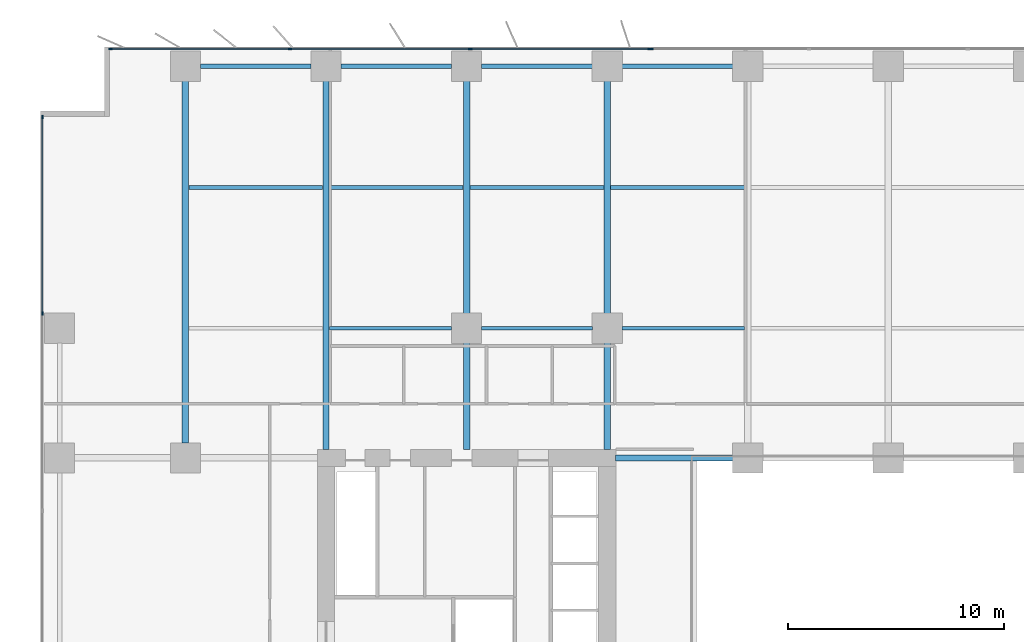
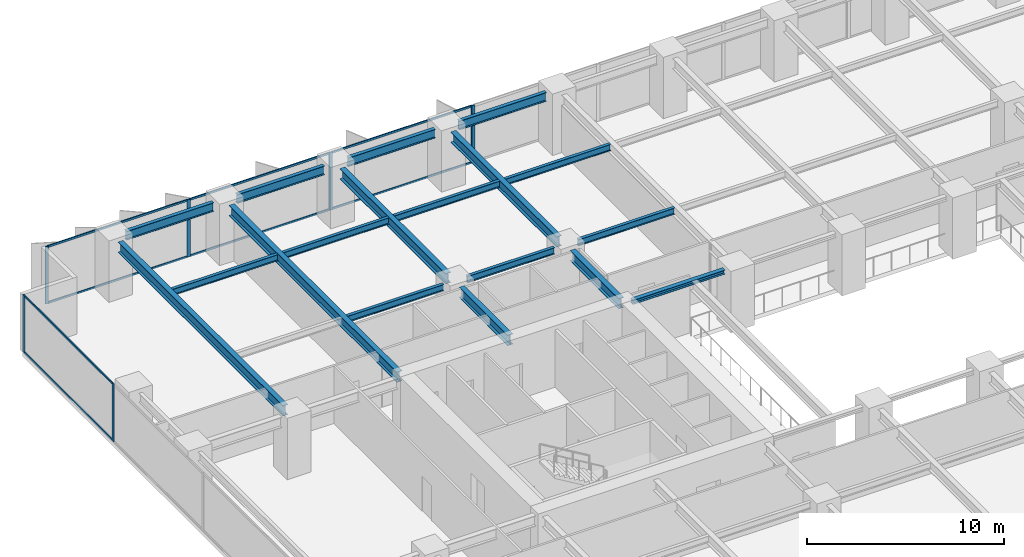
# One storey, part 7 of 20: 18 beams, 15 members, 3 elements without a shape of their own.
"""IFC4 building model written with IfcOpenShell, lengths in metres."""

import ifcopenshell
import ifcopenshell.guid

model = None  # the IFC model being written
_history = None  # IfcOwnerHistory: only IFC2X3 demands one
_inside = {}  # id of a spatial element -> (the spatial element, [elements in it])
_under = {}  # id of a project, library or spatial element -> (it, [spatial elements below it])
_declared = {}  # id of a project -> (the project, [libraries it declares])
_typed = {}  # id of a type object -> (the type object, [elements of that type])
_made_of = {}  # id of a material, layer set ... -> (it, [elements and type objects made of it])


def new_model(schema):
    """Start an empty IFC model of exactly this schema.

    Asked for "IFC4X3", IfcOpenShell would pick the latest addendum, in which some entities
    have other attributes; the version numbers below select the first issue.
    IFC2X3 requires an IfcOwnerHistory on every rooted entity: one is made here for all.
    """
    global model, _history
    if schema == "IFC4X3":
        model = ifcopenshell.file(schema_version=(4, 3, 0, 0))
    else:
        model = ifcopenshell.file(schema=schema)
    _inside.clear()
    _under.clear()
    _declared.clear()
    _typed.clear()
    _made_of.clear()
    _history = None
    if model.schema == "IFC2X3":
        org = make("IfcOrganization", Name="unknown")
        user = make(
            "IfcPersonAndOrganization",
            ThePerson=make("IfcPerson", FamilyName="unknown"),
            TheOrganization=org,
        )
        app = make(
            "IfcApplication",
            ApplicationDeveloper=org,
            Version="unknown",
            ApplicationFullName="unknown",
            ApplicationIdentifier="unknown",
        )
        _history = make(
            "IfcOwnerHistory",
            OwningUser=user,
            OwningApplication=app,
            ChangeAction="ADDED",
            CreationDate=0,
        )
    return model


def make(cls, **values):
    """One entity of the class cls with the attributes given. An attribute that is None is left unset."""
    return model.create_entity(
        cls, **{name: value for name, value in values.items() if value is not None}
    )


def rooted(cls, **values):
    """An entity with a GlobalId (a new one), such as an element, a storey or a relation."""
    return make(cls, GlobalId=ifcopenshell.guid.new(), OwnerHistory=_history, **values)


def si_unit(unit_type, name, prefix=None):
    """IfcSIUnit, for example si_unit("LENGTHUNIT", "METRE", prefix="MILLI")."""
    return make("IfcSIUnit", UnitType=unit_type, Prefix=prefix, Name=name)


def assignment(units):
    """IfcUnitAssignment: the units of a project."""
    return None if units is None else make("IfcUnitAssignment", Units=units)


def point(xyz):
    """IfcCartesianPoint."""
    return None if xyz is None else make("IfcCartesianPoint", Coordinates=xyz)


def direction(xyz):
    """IfcDirection."""
    return None if xyz is None else make("IfcDirection", DirectionRatios=xyz)


def frame(location, z_axis=None, x_axis=None):
    """IfcAxis2Placement3D, a coordinate frame: its origin and axes. An axis left out is left unset."""
    return make(
        "IfcAxis2Placement3D",
        Location=point(location),
        Axis=direction(z_axis),
        RefDirection=direction(x_axis),
    )


def frame_2d(location, x_axis=None):
    """IfcAxis2Placement2D, a coordinate frame in the plane: its origin and x axis."""
    return make(
        "IfcAxis2Placement2D", Location=point(location), RefDirection=direction(x_axis)
    )


def origin():
    """The frame at (0, 0, 0) with its axes left unset."""
    return frame((0.0, 0.0, 0.0))


def origin_2d():
    """The frame at (0, 0) in the plane with its x axis left unset."""
    return frame_2d((0.0, 0.0))


def place(relative_to, where):
    """IfcLocalPlacement: puts the frame where relative to a parent placement (None: the world)."""
    return make(
        "IfcLocalPlacement", PlacementRelTo=relative_to, RelativePlacement=where
    )


def context(
    kind, dimensions, precision=None, world=None, true_north=None, identifier=None
):
    """IfcGeometricRepresentationContext, for example the 3D "Model" context."""
    return make(
        "IfcGeometricRepresentationContext",
        ContextIdentifier=identifier,
        ContextType=kind,
        CoordinateSpaceDimension=dimensions,
        Precision=precision,
        WorldCoordinateSystem=world,
        TrueNorth=true_north,
    )


def subcontext(parent, identifier, kind, view, scale=None):
    """IfcGeometricRepresentationSubContext, for example "Body" below "Model"."""
    return make(
        "IfcGeometricRepresentationSubContext",
        ContextIdentifier=identifier,
        ContextType=kind,
        ParentContext=parent,
        TargetScale=scale,
        TargetView=view,
    )


def project(units=None, contexts=None):
    """IfcProject with its units and contexts."""
    return rooted(
        "IfcProject",
        Name="project",
        RepresentationContexts=contexts,
        UnitsInContext=assignment(units),
    )


def spatial(cls, under=None, at=None, **own):
    """A site, building, storey or space (cls), placed at a placement, below another one or the project."""
    s = rooted(cls, ObjectPlacement=at, **own)
    if under is not None:
        _under.setdefault(under.id(), (under, []))[1].append(s)
    return s


def profile(cls, at=None, kind="AREA", **sizes):
    """A parametric profile (cls). Its sizes go by their IFC names, for example OverallWidth=200.0."""
    return make(cls, ProfileType=kind, Position=at, **sizes)


def rectangle(**sizes):
    """IfcRectangleProfileDef."""
    return profile("IfcRectangleProfileDef", **sizes)


def i_section(**sizes):
    """IfcIShapeProfileDef."""
    return profile("IfcIShapeProfileDef", **sizes)


def extrude(swept, where, along, depth):
    """IfcExtrudedAreaSolid: the profile swept, set in the frame where, extruded along a direction by depth."""
    return make(
        "IfcExtrudedAreaSolid",
        SweptArea=swept,
        Position=where,
        ExtrudedDirection=direction(along),
        Depth=depth,
    )


def shape(context_of_items, identifier, shape_type, items):
    """IfcShapeRepresentation: the items that make up one representation, for example the "Body"."""
    return make(
        "IfcShapeRepresentation",
        ContextOfItems=context_of_items,
        RepresentationIdentifier=identifier,
        RepresentationType=shape_type,
        Items=items,
    )


def material(Name=None, Category=None):
    """IfcMaterial."""
    return make("IfcMaterial", Name=Name, Category=Category)


def layer(
    of_material, thickness, ventilated=None, Name=None, Category=None, Priority=None
):
    """IfcMaterialLayer: one layer of a wall or slab, of a material (None: an air gap)."""
    return make(
        "IfcMaterialLayer",
        Material=of_material,
        LayerThickness=thickness,
        IsVentilated=ventilated,
        Name=Name,
        Category=Category,
        Priority=Priority,
    )


def layer_set(layers, Name=None):
    """IfcMaterialLayerSet."""
    return make("IfcMaterialLayerSet", MaterialLayers=layers, LayerSetName=Name)


def material_profile(
    of_material, cross_section, Name=None, Category=None, Priority=None
):
    """IfcMaterialProfile: a cross section and its material."""
    return make(
        "IfcMaterialProfile",
        Name=Name,
        Material=of_material,
        Profile=cross_section,
        Priority=Priority,
        Category=Category,
    )


def profile_set(profiles, Name=None, composite=None):
    """IfcMaterialProfileSet."""
    return make(
        "IfcMaterialProfileSet",
        Name=Name,
        MaterialProfiles=profiles,
        CompositeProfile=composite,
    )


def made_of(thing, what):
    """Note that an element or type object is made of a material, layer set ...; save() writes the relation."""
    if what is not None:
        _made_of.setdefault(what.id(), (what, []))[1].append(thing)
    return thing


def type_object(cls, material=None, **own):
    """A type object (cls), such as IfcWallType, which elements share."""
    return made_of(rooted(cls, **own), material)


def element(
    cls,
    number,
    at=None,
    inside=None,
    cuts=None,
    type_object=None,
    material=None,
    context=None,
    identifier="Body",
    shape_type=None,
    held_by="IfcProductDefinitionShape",
    body=None,
    shapes=None,
    **own,
):
    """One element of the class cls, such as IfcWall. Its Tag is "e" and its number.

    at: its placement. inside: the storey or other place that contains it. cuts: it is an
    opening in that element (IfcRelVoidsElement). A single representation is given by context,
    identifier, shape_type and body (its items); several are given by shapes. held_by: the class
    of the entity that holds the representations. save() writes the other relations.
    """
    e = rooted(cls, Tag="e%d" % number, ObjectPlacement=at, **own)
    if body is not None:
        shapes = [shape(context, identifier, shape_type, body)]
    if shapes is not None:
        e.Representation = make(held_by, Representations=shapes)
    if inside is not None:
        _inside.setdefault(inside.id(), (inside, []))[1].append(e)
    if cuts is not None:
        rooted(
            "IfcRelVoidsElement", RelatingBuildingElement=cuts, RelatedOpeningElement=e
        )
    if type_object is not None:
        _typed.setdefault(type_object.id(), (type_object, []))[1].append(e)
    return made_of(e, material)


def aggregate(whole, parts):
    """IfcRelAggregates: a whole, such as a stair, and the parts it consists of."""
    return rooted("IfcRelAggregates", RelatingObject=whole, RelatedObjects=parts)


def save(model, path):
    """Write the relations noted so far, then the file.

    IfcRelAggregates (storeys below a building ...), IfcRelContainedInSpatialStructure (elements
    in a storey), IfcRelDefinesByType, IfcRelAssociatesMaterial and IfcRelDeclares: one each for
    every whole, place, type object, material and project.
    """
    for whole, parts in _under.values():
        aggregate(whole, parts)
    for where, things in _inside.values():
        rooted(
            "IfcRelContainedInSpatialStructure",
            RelatedElements=things,
            RelatingStructure=where,
        )
    for kind, things in _typed.values():
        rooted("IfcRelDefinesByType", RelatedObjects=things, RelatingType=kind)
    for what, things in _made_of.values():
        rooted("IfcRelAssociatesMaterial", RelatedObjects=things, RelatingMaterial=what)
    for by, libraries in _declared.values():
        rooted("IfcRelDeclares", RelatingContext=by, RelatedDefinitions=libraries)
    model.write(path)


model = new_model("IFC4")

# Units and contexts
model_context = context("Model", 3, precision=1e-05, world=origin(), true_north=direction((0.0, 1.0)))
body_context = subcontext(model_context, "Body", "Model", "MODEL_VIEW")
ifc_project = project(units=[si_unit("LENGTHUNIT", "METRE"), si_unit("AREAUNIT", "SQUARE_METRE"), si_unit("VOLUMEUNIT", "CUBIC_METRE"), si_unit("PLANEANGLEUNIT", "RADIAN"), si_unit("MASSUNIT", "GRAM", prefix="KILO")], contexts=[model_context])

# Site, building, storey
site_placement = place(None, origin())
site = spatial("IfcSite", under=ifc_project, at=site_placement, CompositionType="ELEMENT")
building_placement = place(site_placement, origin())
building = spatial("IfcBuilding", under=site, at=building_placement, Name="Putna Gate Headquarters", CompositionType="ELEMENT")
storey_placement = place(building_placement, frame((0.0, 0.0, 31.60009765625)))
storey = spatial("IfcBuildingStorey", under=building, at=storey_placement, Name="L06", CompositionType="ELEMENT", Elevation=31.60009765625)

# Beams
ifc_material_1 = material(Name="Steel S355J2", Category="steel")
ifc_material_profile_1 = material_profile(ifc_material_1, i_section(OverallWidth=0.260009765625, OverallDepth=0.260009765625, WebThickness=0.010009765625, FlangeThickness=0.017578125, at=origin_2d()), Name="Steel S355J2")
ifc_profile_set_1 = profile_set([ifc_material_profile_1], Name="Steel S355J2")
beam_type_1 = type_object("IfcBeamType", Name="BM-ATRIUM-HEB260", PredefinedType="BEAM", material=ifc_profile_set_1)
beam_1_placement = place(storey_placement, frame((26.385009765625, 33.0, 3.419921875), z_axis=(1.0, 0.0, 0.0), x_axis=(0.0, 1.0, 0.0)))
element("IfcBeam", 1, at=beam_1_placement, inside=storey, type_object=beam_type_1, Name="L06 Atrium Edge Beam AN1", PredefinedType="BEAM", context=body_context, shape_type="SweptSolid", body=[
    extrude(i_section(OverallWidth=0.260009765625, OverallDepth=0.260009765625, WebThickness=0.010009765625, FlangeThickness=0.017578125, at=origin_2d()), origin(), (0.0, 0.0, 1.0), 5.427001953125),
])
ifc_material_profile_2 = material_profile(ifc_material_1, i_section(OverallWidth=0.300048828125, OverallDepth=0.64990234375, WebThickness=0.01611328125, FlangeThickness=0.031005859375, at=origin_2d()), Name="Steel S355J2")
ifc_profile_set_2 = profile_set([ifc_material_profile_2], Name="Steel S355J2")
beam_type_2 = type_object("IfcBeamType", Name="BM-GIRD-Z1-HEB650", PredefinedType="USERDEFINED", material=ifc_profile_set_2)
beam_2_placement = place(storey_placement, frame((6.5, 33.68798828125, 3.224853515625), z_axis=(0.0, 1.0, 0.0), x_axis=(-1.0, 0.0, 0.0)))
element("IfcBeam", 2, at=beam_2_placement, inside=storey, type_object=beam_type_2, Name="L06 North Primary Girder X6", ObjectType="GIRDER", PredefinedType="USERDEFINED", context=body_context, shape_type="SweptSolid", body=[
    extrude(i_section(OverallWidth=0.300048828125, OverallDepth=0.64990234375, WebThickness=0.01611328125, FlangeThickness=0.031005859375, at=origin_2d()), origin(), (0.0, 0.0, 1.0), 16.743896484375),
])
beam_3_placement = place(storey_placement, frame((13.0, 33.385009765625, 3.224853515625), z_axis=(0.0, 1.0, 0.0), x_axis=(-1.0, 0.0, 0.0)))
element("IfcBeam", 3, at=beam_3_placement, inside=storey, type_object=beam_type_2, Name="L06 North Primary Girder X13", ObjectType="GIRDER", PredefinedType="USERDEFINED", context=body_context, shape_type="SweptSolid", body=[
    extrude(i_section(OverallWidth=0.300048828125, OverallDepth=0.64990234375, WebThickness=0.01611328125, FlangeThickness=0.031005859375, at=origin_2d()), origin(), (0.0, 0.0, 1.0), 17.046875),
])
beam_4_placement = place(storey_placement, frame((19.5, 33.385009765625, 3.224853515625), z_axis=(0.0, 1.0, 0.0), x_axis=(-1.0, 0.0, 0.0)))
element("IfcBeam", 4, at=beam_4_placement, inside=storey, type_object=beam_type_2, Name="L06 North Primary Girder X19-1", ObjectType="GIRDER", PredefinedType="USERDEFINED", context=body_context, shape_type="SweptSolid", body=[
    extrude(i_section(OverallWidth=0.300048828125, OverallDepth=0.64990234375, WebThickness=0.01611328125, FlangeThickness=0.031005859375, at=origin_2d()), origin(), (0.0, 0.0, 1.0), 4.927001953125),
])
beam_5_placement = place(storey_placement, frame((19.5, 39.68798828125, 3.224853515625), z_axis=(0.0, 1.0, 0.0), x_axis=(-1.0, 0.0, 0.0)))
element("IfcBeam", 5, at=beam_5_placement, inside=storey, type_object=beam_type_2, Name="L06 North Primary Girder X19-2", ObjectType="GIRDER", PredefinedType="USERDEFINED", context=body_context, shape_type="SweptSolid", body=[
    extrude(i_section(OverallWidth=0.300048828125, OverallDepth=0.64990234375, WebThickness=0.01611328125, FlangeThickness=0.031005859375, at=origin_2d()), origin(), (0.0, 0.0, 1.0), 10.743896484375),
])
beam_6_placement = place(storey_placement, frame((26.0, 33.385009765625, 3.224853515625), z_axis=(0.0, 1.0, 0.0), x_axis=(-1.0, 0.0, 0.0)))
element("IfcBeam", 6, at=beam_6_placement, inside=storey, type_object=beam_type_2, Name="L06 North Primary Girder X26-1", ObjectType="GIRDER", PredefinedType="USERDEFINED", context=body_context, shape_type="SweptSolid", body=[
    extrude(i_section(OverallWidth=0.300048828125, OverallDepth=0.64990234375, WebThickness=0.01611328125, FlangeThickness=0.031005859375, at=origin_2d()), origin(), (0.0, 0.0, 1.0), 4.927001953125),
])
beam_7_placement = place(storey_placement, frame((26.0, 39.68798828125, 3.224853515625), z_axis=(0.0, 1.0, 0.0), x_axis=(-1.0, 0.0, 0.0)))
element("IfcBeam", 7, at=beam_7_placement, inside=storey, type_object=beam_type_2, Name="L06 North Primary Girder X26-2", ObjectType="GIRDER", PredefinedType="USERDEFINED", context=body_context, shape_type="SweptSolid", body=[
    extrude(i_section(OverallWidth=0.300048828125, OverallDepth=0.64990234375, WebThickness=0.01611328125, FlangeThickness=0.031005859375, at=origin_2d()), origin(), (0.0, 0.0, 1.0), 10.743896484375),
])
ifc_material_profile_3 = material_profile(ifc_material_1, i_section(OverallWidth=0.179931640625, OverallDepth=0.39990234375, WebThickness=0.008544921875, FlangeThickness=0.013427734375, at=origin_2d()), Name="Steel S355J2")
ifc_profile_set_3 = profile_set([ifc_material_profile_3], Name="Steel S355J2")
beam_type_3 = type_object("IfcBeamType", Name="BM-SEC-Z1-IPE400", PredefinedType="BEAM", material=ifc_profile_set_3)
beam_8_placement = place(storey_placement, frame((6.654052734375, 45.5, 3.349853515625), z_axis=(1.0, 0.0, 0.0), x_axis=(0.0, 1.0, 0.0)))
element("IfcBeam", 8, at=beam_8_placement, inside=storey, type_object=beam_type_3, Name="L06 North Secondary Beam 1", PredefinedType="BEAM", context=body_context, shape_type="SweptSolid", body=[
    extrude(i_section(OverallWidth=0.179931640625, OverallDepth=0.39990234375, WebThickness=0.008544921875, FlangeThickness=0.013427734375, at=origin_2d()), origin(), (0.0, 0.0, 1.0), 6.19189453125),
])
beam_9_placement = place(storey_placement, frame((13.154052734375, 39.0, 3.349853515625), z_axis=(1.0, 0.0, 0.0), x_axis=(0.0, 1.0, 0.0)))
element("IfcBeam", 9, at=beam_9_placement, inside=storey, type_object=beam_type_3, Name="L06 North Secondary Beam 2", PredefinedType="BEAM", context=body_context, shape_type="SweptSolid", body=[
    extrude(i_section(OverallWidth=0.179931640625, OverallDepth=0.39990234375, WebThickness=0.008544921875, FlangeThickness=0.013427734375, at=origin_2d()), origin(), (0.0, 0.0, 1.0), 5.657958984375),
])
beam_10_placement = place(storey_placement, frame((13.154052734375, 45.5, 3.349853515625), z_axis=(1.0, 0.0, 0.0), x_axis=(0.0, 1.0, 0.0)))
element("IfcBeam", 10, at=beam_10_placement, inside=storey, type_object=beam_type_3, Name="L06 North Secondary Beam 2", PredefinedType="BEAM", context=body_context, shape_type="SweptSolid", body=[
    extrude(i_section(OverallWidth=0.179931640625, OverallDepth=0.39990234375, WebThickness=0.008544921875, FlangeThickness=0.013427734375, at=origin_2d()), origin(), (0.0, 0.0, 1.0), 6.19189453125),
])
beam_11_placement = place(storey_placement, frame((20.18798828125, 39.0, 3.349853515625), z_axis=(1.0, 0.0, 0.0), x_axis=(0.0, 1.0, 0.0)))
element("IfcBeam", 11, at=beam_11_placement, inside=storey, type_object=beam_type_3, Name="L06 North Secondary Beam 3", PredefinedType="BEAM", context=body_context, shape_type="SweptSolid", body=[
    extrude(i_section(OverallWidth=0.179931640625, OverallDepth=0.39990234375, WebThickness=0.008544921875, FlangeThickness=0.013427734375, at=origin_2d()), origin(), (0.0, 0.0, 1.0), 5.1240234375),
])
beam_12_placement = place(storey_placement, frame((19.654052734375, 45.5, 3.349853515625), z_axis=(1.0, 0.0, 0.0), x_axis=(0.0, 1.0, 0.0)))
element("IfcBeam", 12, at=beam_12_placement, inside=storey, type_object=beam_type_3, Name="L06 North Secondary Beam 3", PredefinedType="BEAM", context=body_context, shape_type="SweptSolid", body=[
    extrude(i_section(OverallWidth=0.179931640625, OverallDepth=0.39990234375, WebThickness=0.008544921875, FlangeThickness=0.013427734375, at=origin_2d()), origin(), (0.0, 0.0, 1.0), 6.19189453125),
])
beam_13_placement = place(storey_placement, frame((26.68798828125, 39.0, 3.349853515625), z_axis=(1.0, 0.0, 0.0), x_axis=(0.0, 1.0, 0.0)))
element("IfcBeam", 13, at=beam_13_placement, inside=storey, type_object=beam_type_3, Name="L06 North Secondary Beam 4", PredefinedType="BEAM", context=body_context, shape_type="SweptSolid", body=[
    extrude(i_section(OverallWidth=0.179931640625, OverallDepth=0.39990234375, WebThickness=0.008544921875, FlangeThickness=0.013427734375, at=origin_2d()), origin(), (0.0, 0.0, 1.0), 5.657958984375),
])
beam_14_placement = place(storey_placement, frame((26.154052734375, 45.5, 3.349853515625), z_axis=(1.0, 0.0, 0.0), x_axis=(0.0, 1.0, 0.0)))
element("IfcBeam", 14, at=beam_14_placement, inside=storey, type_object=beam_type_3, Name="L06 North Secondary Beam 4", PredefinedType="BEAM", context=body_context, shape_type="SweptSolid", body=[
    extrude(i_section(OverallWidth=0.179931640625, OverallDepth=0.39990234375, WebThickness=0.008544921875, FlangeThickness=0.013427734375, at=origin_2d()), origin(), (0.0, 0.0, 1.0), 6.19189453125),
])
ifc_material_profile_4 = material_profile(ifc_material_1, i_section(OverallWidth=0.2099609375, OverallDepth=0.550048828125, WebThickness=0.010986328125, FlangeThickness=0.01708984375, at=origin_2d()), Name="Steel S355J2")
ifc_profile_set_4 = profile_set([ifc_material_profile_4], Name="Steel S355J2")
beam_type_4 = type_object("IfcBeamType", Name="BM-SPAN-Z1-IPE550", PredefinedType="SPANDREL", material=ifc_profile_set_4)
for number, where, z_axis, x_axis, name in (
    (15, (7.18798828125, 51.1201171875, 3.27490234375), (1.0, 0.0, 0.0), (0.0, 1.0, 0.0), "L06 N Perimeter Spandrel 1"),
    (16, (13.68798828125, 51.1201171875, 3.27490234375), (1.0, 0.0, 0.0), (0.0, 1.0, 0.0), "L06 N Perimeter Spandrel 2"),
    (17, (20.18798828125, 51.1201171875, 3.27490234375), (1.0, 0.0, 0.0), (0.0, 1.0, 0.0), "L06 N Perimeter Spandrel 3"),
    (18, (26.68798828125, 51.1201171875, 3.27490234375), (1.0, 0.0, 0.0), (0.0, 1.0, 0.0), "L06 N Perimeter Spandrel 4"),
):
    element("IfcBeam", number, at=place(storey_placement, frame(where, z_axis=z_axis, x_axis=x_axis)), inside=storey, type_object=beam_type_4, Name=name, PredefinedType="SPANDREL", context=body_context, shape_type="SweptSolid", body=[
        extrude(i_section(OverallWidth=0.2099609375, OverallDepth=0.550048828125, WebThickness=0.010986328125, FlangeThickness=0.01708984375, at=origin_2d()), origin(), (0.0, 0.0, 1.0), 5.1240234375),
    ])

# Curtain wall, members
ifc_material_2 = material(Name="Anodised bronze aluminium curtain wall", Category="aluminium")
ifc_layer_1 = layer(ifc_material_2, 0.179931640625)
ifc_layer_set_1 = layer_set([ifc_layer_1], Name="Anodised bronze aluminium curtain wall")
curtain_wall_type_1 = type_object("IfcCurtainWallType", Name="CW-SYS-Z1", PredefinedType="USERDEFINED", material=ifc_layer_set_1)
curtain_wall_1_placement = place(storey_placement, origin())
curtain_wall_1 = element("IfcCurtainWall", 19, at=curtain_wall_1_placement, inside=storey, type_object=curtain_wall_type_1, Name="L06 North West Curtain Wall", ObjectType="STICK CURTAIN WALL", PredefinedType="USERDEFINED")
ifc_material_3 = material(Name="Anodised bronze aluminium EN AW-6060", Category="aluminium")
ifc_material_profile_5 = material_profile(ifc_material_3, rectangle(XDim=0.070068359375, YDim=0.179931640625, at=origin_2d()), Name="Anodised bronze aluminium EN AW-6060")
ifc_profile_set_5 = profile_set([ifc_material_profile_5], Name="Anodised bronze aluminium EN AW-6060")
member_type_1 = type_object("IfcMemberType", Name="MULL-CWM-1", PredefinedType="MULLION", material=ifc_profile_set_5)
member_1_placement = place(storey_placement, frame((3.034912109375, 51.919921875, 0.0), z_axis=(0.0, 0.0, 1.0), x_axis=(0.0, 1.0, 0.0)))
member_1 = element("IfcMember", 20, at=member_1_placement, type_object=member_type_1, Name="CWS-1 mullion 1", PredefinedType="MULLION", context=body_context, shape_type="SweptSolid", body=[
    extrude(rectangle(XDim=0.070068359375, YDim=0.179931640625, at=origin_2d()), origin(), (0.0, 0.0, 1.0), 3.5498046875),
])
member_2_placement = place(storey_placement, frame((11.333251953125, 51.919921875, 0.0), z_axis=(0.0, 0.0, 1.0), x_axis=(0.0, 1.0, 0.0)))
member_2 = element("IfcMember", 21, at=member_2_placement, type_object=member_type_1, Name="CWS-1 mullion 2", PredefinedType="MULLION", context=body_context, shape_type="SweptSolid", body=[
    extrude(rectangle(XDim=0.070068359375, YDim=0.179931640625, at=origin_2d()), origin(), (0.0, 0.0, 1.0), 3.5498046875),
])
member_3_placement = place(storey_placement, frame((19.666748046875, 51.919921875, 0.0), z_axis=(0.0, 0.0, 1.0), x_axis=(0.0, 1.0, 0.0)))
member_3 = element("IfcMember", 22, at=member_3_placement, type_object=member_type_1, Name="CWS-1 mullion 3", PredefinedType="MULLION", context=body_context, shape_type="SweptSolid", body=[
    extrude(rectangle(XDim=0.070068359375, YDim=0.179931640625, at=origin_2d()), origin(), (0.0, 0.0, 1.0), 3.5498046875),
])
member_4_placement = place(storey_placement, frame((27.965087890625, 51.919921875, 0.0), z_axis=(0.0, 0.0, 1.0), x_axis=(0.0, 1.0, 0.0)))
member_4 = element("IfcMember", 23, at=member_4_placement, type_object=member_type_1, Name="CWS-1 mullion 4", PredefinedType="MULLION", context=body_context, shape_type="SweptSolid", body=[
    extrude(rectangle(XDim=0.070068359375, YDim=0.179931640625, at=origin_2d()), origin(), (0.0, 0.0, 1.0), 3.5498046875),
])

curtain_wall_2_placement = place(storey_placement, origin())
curtain_wall_2 = element("IfcCurtainWall", 24, at=curtain_wall_2_placement, inside=storey, type_object=curtain_wall_type_1, Name="L06 West Curtain Wall", ObjectType="STICK CURTAIN WALL", PredefinedType="USERDEFINED")
member_5_placement = place(storey_placement, frame((-0.1201171875, 39.679931640625, 0.0), z_axis=(0.0, 0.0, 1.0), x_axis=(-1.0, 0.0, 0.0)))
member_5 = element("IfcMember", 25, at=member_5_placement, type_object=member_type_1, Name="CWS-1 mullion 5", PredefinedType="MULLION", context=body_context, shape_type="SweptSolid", body=[
    extrude(rectangle(XDim=0.070068359375, YDim=0.179931640625, at=origin_2d()), origin(), (0.0, 0.0, 1.0), 3.5498046875),
])
member_6_placement = place(storey_placement, frame((-0.1201171875, 48.764892578125, 0.0), z_axis=(0.0, 0.0, 1.0), x_axis=(-1.0, 0.0, 0.0)))
member_6 = element("IfcMember", 26, at=member_6_placement, type_object=member_type_1, Name="CWS-1 mullion 6", PredefinedType="MULLION", context=body_context, shape_type="SweptSolid", body=[
    extrude(rectangle(XDim=0.070068359375, YDim=0.179931640625, at=origin_2d()), origin(), (0.0, 0.0, 1.0), 3.5498046875),
])

# Curtain wall, member
ifc_layer_2 = layer(ifc_material_2, 0.179931640625)
ifc_layer_set_2 = layer_set([ifc_layer_2], Name="Anodised bronze aluminium curtain wall")
curtain_wall_type_2 = type_object("IfcCurtainWallType", Name="CW-SYS-ATR", PredefinedType="USERDEFINED", material=ifc_layer_set_2)
curtain_wall_3_placement = place(storey_placement, origin())
curtain_wall_3 = element("IfcCurtainWall", 27, at=curtain_wall_3_placement, inside=storey, type_object=curtain_wall_type_2, Name="L06 North Atrium Clear Glazing", ObjectType="ATRIUM GLAZING", PredefinedType="USERDEFINED")
ifc_material_profile_6 = material_profile(ifc_material_3, rectangle(XDim=0.070068359375, YDim=0.179931640625, at=origin_2d()), Name="Anodised bronze aluminium EN AW-6060")
ifc_profile_set_6 = profile_set([ifc_material_profile_6], Name="Anodised bronze aluminium EN AW-6060")
member_type_2 = type_object("IfcMemberType", Name="MULL-CWM-AT", PredefinedType="MULLION", material=ifc_profile_set_6)
member_7_placement = place(storey_placement, frame((28.034912109375, 51.919921875, 0.0), z_axis=(0.0, 0.0, 1.0), x_axis=(0.0, 1.0, 0.0)))
member_7 = element("IfcMember", 28, at=member_7_placement, type_object=member_type_2, Name="CWS-AT mullion 1", PredefinedType="MULLION", context=body_context, shape_type="SweptSolid", body=[
    extrude(rectangle(XDim=0.070068359375, YDim=0.179931640625, at=origin_2d()), origin(), (0.0, 0.0, 1.0), 3.5498046875),
])
aggregate(curtain_wall_3, [member_7])

# Member
ifc_material_profile_7 = material_profile(ifc_material_3, rectangle(XDim=0.06494140625, YDim=0.1201171875, at=origin_2d()), Name="Anodised bronze aluminium EN AW-6060")
ifc_profile_set_7 = profile_set([ifc_material_profile_7], Name="Anodised bronze aluminium EN AW-6060")
member_type_3 = type_object("IfcMemberType", Name="TRAN-CWT-1", PredefinedType="USERDEFINED", material=ifc_profile_set_7)
member_8_placement = place(storey_placement, frame((3.070068359375, 51.919921875, 0.032470703125), z_axis=(1.0, 0.0, 0.0), x_axis=(0.0, 1.0, 0.0)))
member_8 = element("IfcMember", 29, at=member_8_placement, type_object=member_type_3, Name="CWS-1 transom 1.1", ObjectType="TRANSOM", PredefinedType="USERDEFINED", context=body_context, shape_type="SweptSolid", body=[
    extrude(rectangle(XDim=0.06494140625, YDim=0.1201171875, at=origin_2d()), origin(), (0.0, 0.0, 1.0), 8.228271484375),
])

member_9_placement = place(storey_placement, frame((3.070068359375, 51.919921875, 3.517333984375), z_axis=(1.0, 0.0, 0.0), x_axis=(0.0, 1.0, 0.0)))
member_9 = element("IfcMember", 30, at=member_9_placement, type_object=member_type_3, Name="CWS-1 transom 1.2", ObjectType="TRANSOM", PredefinedType="USERDEFINED", context=body_context, shape_type="SweptSolid", body=[
    extrude(rectangle(XDim=0.06494140625, YDim=0.1201171875, at=origin_2d()), origin(), (0.0, 0.0, 1.0), 8.228271484375),
])

member_10_placement = place(storey_placement, frame((11.368408203125, 51.919921875, 0.032470703125), z_axis=(1.0, 0.0, 0.0), x_axis=(0.0, 1.0, 0.0)))
member_10 = element("IfcMember", 31, at=member_10_placement, type_object=member_type_3, Name="CWS-1 transom 2.1", ObjectType="TRANSOM", PredefinedType="USERDEFINED", context=body_context, shape_type="SweptSolid", body=[
    extrude(rectangle(XDim=0.06494140625, YDim=0.1201171875, at=origin_2d()), origin(), (0.0, 0.0, 1.0), 8.26318359375),
])

member_11_placement = place(storey_placement, frame((11.368408203125, 51.919921875, 3.517333984375), z_axis=(1.0, 0.0, 0.0), x_axis=(0.0, 1.0, 0.0)))
member_11 = element("IfcMember", 32, at=member_11_placement, type_object=member_type_3, Name="CWS-1 transom 2.2", ObjectType="TRANSOM", PredefinedType="USERDEFINED", context=body_context, shape_type="SweptSolid", body=[
    extrude(rectangle(XDim=0.06494140625, YDim=0.1201171875, at=origin_2d()), origin(), (0.0, 0.0, 1.0), 8.26318359375),
])

member_12_placement = place(storey_placement, frame((19.70166015625, 51.919921875, 0.032470703125), z_axis=(1.0, 0.0, 0.0), x_axis=(0.0, 1.0, 0.0)))
member_12 = element("IfcMember", 33, at=member_12_placement, type_object=member_type_3, Name="CWS-1 transom 3.1", ObjectType="TRANSOM", PredefinedType="USERDEFINED", context=body_context, shape_type="SweptSolid", body=[
    extrude(rectangle(XDim=0.06494140625, YDim=0.1201171875, at=origin_2d()), origin(), (0.0, 0.0, 1.0), 8.228271484375),
])

member_13_placement = place(storey_placement, frame((19.70166015625, 51.919921875, 3.517333984375), z_axis=(1.0, 0.0, 0.0), x_axis=(0.0, 1.0, 0.0)))
member_13 = element("IfcMember", 34, at=member_13_placement, type_object=member_type_3, Name="CWS-1 transom 3.2", ObjectType="TRANSOM", PredefinedType="USERDEFINED", context=body_context, shape_type="SweptSolid", body=[
    extrude(rectangle(XDim=0.06494140625, YDim=0.1201171875, at=origin_2d()), origin(), (0.0, 0.0, 1.0), 8.228271484375),
])

aggregate(curtain_wall_1, [member_1, member_2, member_3, member_4, member_8, member_9, member_10, member_11, member_12, member_13])

member_14_placement = place(storey_placement, frame((-0.1201171875, 39.715087890625, 0.032470703125), z_axis=(0.0, 1.0, 0.0), x_axis=(-1.0, 0.0, 0.0)))
member_14 = element("IfcMember", 35, at=member_14_placement, type_object=member_type_3, Name="CWS-1 transom 5.1", ObjectType="TRANSOM", PredefinedType="USERDEFINED", context=body_context, shape_type="SweptSolid", body=[
    extrude(rectangle(XDim=0.06494140625, YDim=0.1201171875, at=origin_2d()), origin(), (0.0, 0.0, 1.0), 9.014892578125),
])

member_15_placement = place(storey_placement, frame((-0.1201171875, 39.715087890625, 3.517333984375), z_axis=(0.0, 1.0, 0.0), x_axis=(-1.0, 0.0, 0.0)))
member_15 = element("IfcMember", 36, at=member_15_placement, type_object=member_type_3, Name="CWS-1 transom 5.2", ObjectType="TRANSOM", PredefinedType="USERDEFINED", context=body_context, shape_type="SweptSolid", body=[
    extrude(rectangle(XDim=0.06494140625, YDim=0.1201171875, at=origin_2d()), origin(), (0.0, 0.0, 1.0), 9.014892578125),
])

aggregate(curtain_wall_2, [member_5, member_6, member_14, member_15])

save(model, "model.ifc")
